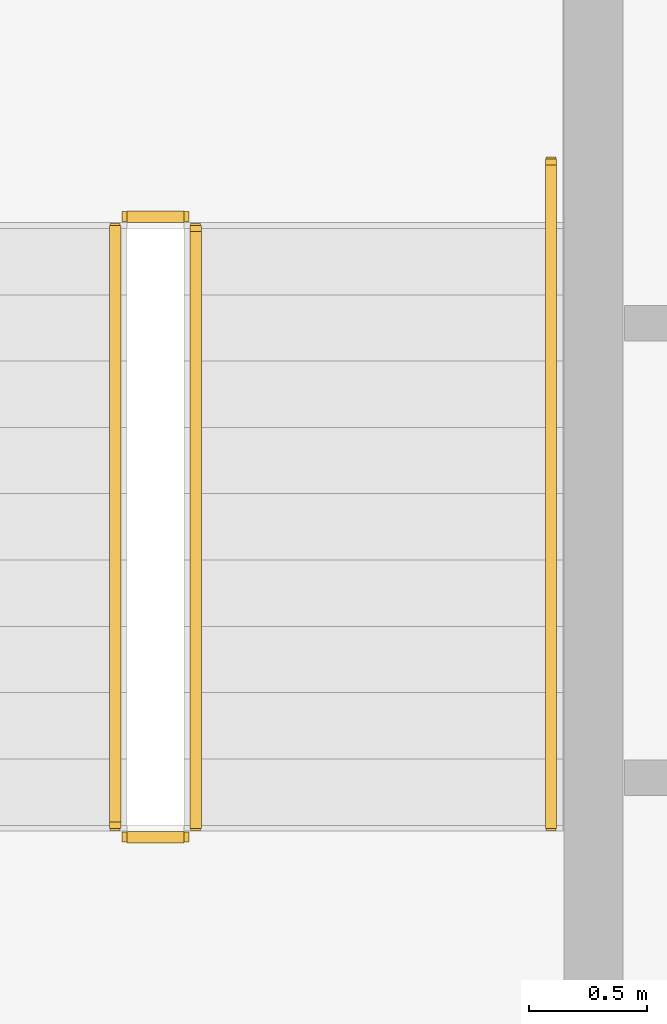
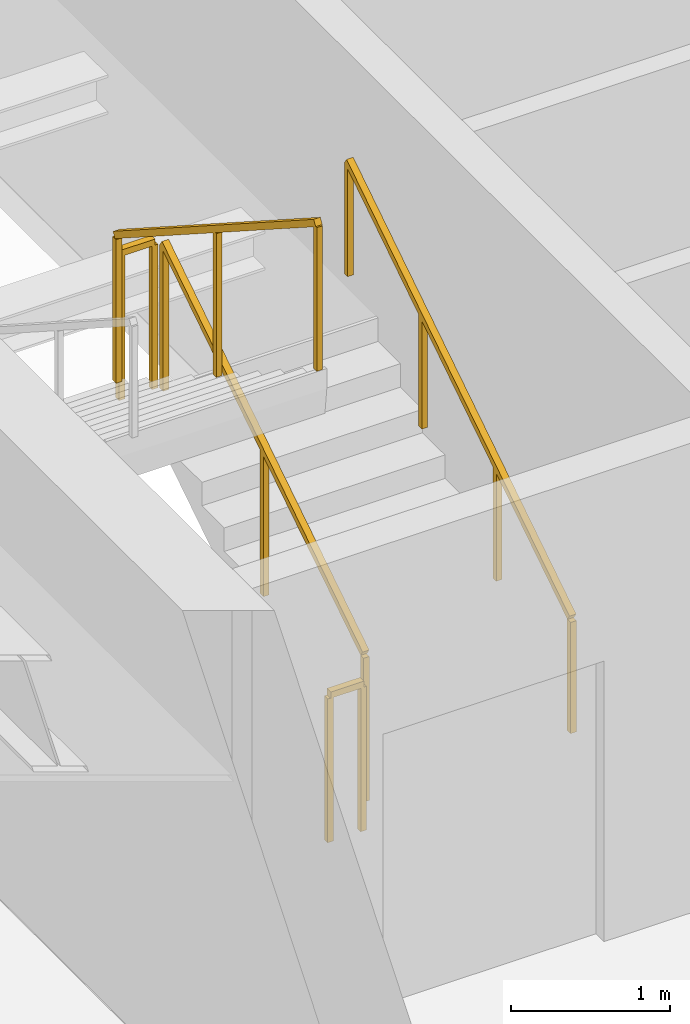
# One storey, part 23 of 26: 5 railings.
"""IFC4 building model written with IfcOpenShell, lengths in metres."""

from ifc_helpers import new_model, si_unit, direction, frame, origin, origin_2d, place, context, subcontext, project, spatial, rectangle, extrude, material, type_object, element, save


model = new_model("IFC4")

# Units and contexts
model_context = context("Model", 3, precision=1e-05, world=origin(), true_north=direction((0.0, 1.0)))
body_context = subcontext(model_context, "Body", "Model", "MODEL_VIEW")
ifc_project = project(units=[si_unit("LENGTHUNIT", "METRE"), si_unit("AREAUNIT", "SQUARE_METRE"), si_unit("VOLUMEUNIT", "CUBIC_METRE"), si_unit("PLANEANGLEUNIT", "RADIAN"), si_unit("MASSUNIT", "GRAM", prefix="KILO")], contexts=[model_context])

# Site, building, storey
site_placement = place(None, origin())
site = spatial("IfcSite", under=ifc_project, at=site_placement, CompositionType="ELEMENT")
building_placement = place(site_placement, origin())
building = spatial("IfcBuilding", under=site, at=building_placement, Name="Sumidabori Civic Tower", CompositionType="ELEMENT")
storey_placement = place(building_placement, frame((0.0, 0.0, 264.800048828125)))
storey = spatial("IfcBuildingStorey", under=building, at=storey_placement, Name="L69", CompositionType="ELEMENT", Elevation=264.800048828125)

# Railings
ifc_material_1 = material(Name="Stainless Steel Hairline Finish", Category="steel")
railing_type_1 = type_object("IfcRailingType", Name="RL-HANDRAIL", PredefinedType="HANDRAIL", material=ifc_material_1)
railing_1_placement = place(storey_placement, frame((-11.949951171875, 16.0, 0.179931640625)))
element("IfcRailing", 1, at=railing_1_placement, inside=storey, type_object=railing_type_1, Name="L69 ST-1 stair handrail 1", PredefinedType="HANDRAIL", context=body_context, shape_type="SweptSolid", body=[
    extrude(rectangle(XDim=0.048095703125, YDim=0.048095703125, at=origin_2d()), frame((0.0, 0.0, 0.8759765625), z_axis=(0.0, 0.840675598268, 0.541539046124), x_axis=(-1.0, 0.0, 0.0)), (0.0, 0.0, 1.0), 3.330810546875),
    extrude(rectangle(XDim=0.0419921875, YDim=0.0419921875, at=origin_2d()), origin(), (0.0, 0.0, 1.0), 0.851806640625),
    extrude(rectangle(XDim=0.0419921875, YDim=0.0419921875, at=origin_2d()), frame((0.0, 0.933349609375, 0.601318359375)), (0.0, 0.0, 1.0), 0.851806640625),
    extrude(rectangle(XDim=0.0419921875, YDim=0.0419921875, at=origin_2d()), frame((0.0, 1.86669921875, 1.202392578125)), (0.0, 0.0, 1.0), 0.851806640625),
    extrude(rectangle(XDim=0.0419921875, YDim=0.0419921875, at=origin_2d()), frame((0.0, 2.800048828125, 1.8037109375)), (0.0, 0.0, 1.0), 0.851806640625),
])
ifc_material_2 = material(Name="Steel SN490", Category="steel")
railing_type_2 = type_object("IfcRailingType", Name="RL-STAIR-GUARD", PredefinedType="GUARDRAIL", material=ifc_material_2)
railing_2_placement = place(storey_placement, frame((-13.449951171875, 16.0, 0.179931640625)))
element("IfcRailing", 2, at=railing_2_placement, inside=storey, type_object=railing_type_2, Name="L69 ST-1 stair guard 1", PredefinedType="GUARDRAIL", context=body_context, shape_type="SweptSolid", body=[
    extrude(rectangle(XDim=0.048095703125, YDim=0.048095703125, at=origin_2d()), frame((0.0, 0.0, 1.1259765625), z_axis=(0.0, 0.841162588446, 0.540782303519), x_axis=(-1.0, 0.0, 0.0)), (0.0, 0.0, 1.0), 2.995849609375),
    extrude(rectangle(XDim=0.0419921875, YDim=0.0419921875, at=origin_2d()), origin(), (0.0, 0.0, 1.0), 1.101806640625),
    extrude(rectangle(XDim=0.0419921875, YDim=0.0419921875, at=origin_2d()), frame((0.0, 1.260009765625, 0.81005859375)), (0.0, 0.0, 1.0), 1.101806640625),
    extrude(rectangle(XDim=0.0419921875, YDim=0.0419921875, at=origin_2d()), frame((0.0, 2.52001953125, 1.6201171875)), (0.0, 0.0, 1.0), 1.101806640625),
])
railing_3_placement = place(storey_placement, frame((-13.5, 18.570068359375, 1.800048828125)))
element("IfcRailing", 3, at=railing_3_placement, inside=storey, type_object=railing_type_2, Name="L69 ST-1 stair guard 2", PredefinedType="GUARDRAIL", context=body_context, shape_type="SweptSolid", body=[
    extrude(rectangle(XDim=0.048095703125, YDim=0.048095703125, at=origin_2d()), frame((0.0, 0.0, 1.1259765625), z_axis=(-1.0, 0.0, 0.0), x_axis=(0.0, -1.0, 0.0)), (0.0, 0.0, 1.0), 0.239990234375),
    extrude(rectangle(XDim=0.0419921875, YDim=0.0419921875, at=origin_2d()), origin(), (0.0, 0.0, 1.0), 1.101806640625),
    extrude(rectangle(XDim=0.0419921875, YDim=0.0419921875, at=origin_2d()), frame((-0.239990234375, 0.0, 0.0)), (0.0, 0.0, 1.0), 1.101806640625),
])
railing_4_placement = place(storey_placement, frame((-13.7900390625, 18.52001953125, 1.97998046875)))
element("IfcRailing", 4, at=railing_4_placement, inside=storey, type_object=railing_type_2, Name="L69 ST-1 stair guard 3", PredefinedType="GUARDRAIL", context=body_context, shape_type="SweptSolid", body=[
    extrude(rectangle(XDim=0.048095703125, YDim=0.048095703125, at=origin_2d()), frame((0.0, 0.0, 1.1259765625), z_axis=(0.0, -0.841199657755, 0.540724639528), x_axis=(1.0, 0.0, 0.0)), (0.0, 0.0, 1.0), 2.995849609375),
    extrude(rectangle(XDim=0.0419921875, YDim=0.0419921875, at=origin_2d()), origin(), (0.0, 0.0, 1.0), 1.101806640625),
    extrude(rectangle(XDim=0.0419921875, YDim=0.0419921875, at=origin_2d()), frame((0.0, -1.260009765625, 0.81005859375)), (0.0, 0.0, 1.0), 1.101806640625),
    extrude(rectangle(XDim=0.0419921875, YDim=0.0419921875, at=origin_2d()), frame((0.0, -2.52001953125, 1.619873046875)), (0.0, 0.0, 1.0), 1.101806640625),
])
railing_5_placement = place(storey_placement, frame((-13.5, 15.949951171875, 0.0)))
element("IfcRailing", 5, at=railing_5_placement, inside=storey, type_object=railing_type_2, Name="L69 ST-1 stair guard 4", PredefinedType="GUARDRAIL", context=body_context, shape_type="SweptSolid", body=[
    extrude(rectangle(XDim=0.048095703125, YDim=0.048095703125, at=origin_2d()), frame((0.0, 0.0, 1.1259765625), z_axis=(-1.0, 0.0, 0.0), x_axis=(0.0, -1.0, 0.0)), (0.0, 0.0, 1.0), 0.239990234375),
    extrude(rectangle(XDim=0.0419921875, YDim=0.0419921875, at=origin_2d()), origin(), (0.0, 0.0, 1.0), 1.101806640625),
    extrude(rectangle(XDim=0.0419921875, YDim=0.0419921875, at=origin_2d()), frame((-0.239990234375, 0.0, 0.0)), (0.0, 0.0, 1.0), 1.101806640625),
])

save(model, "model.ifc")
